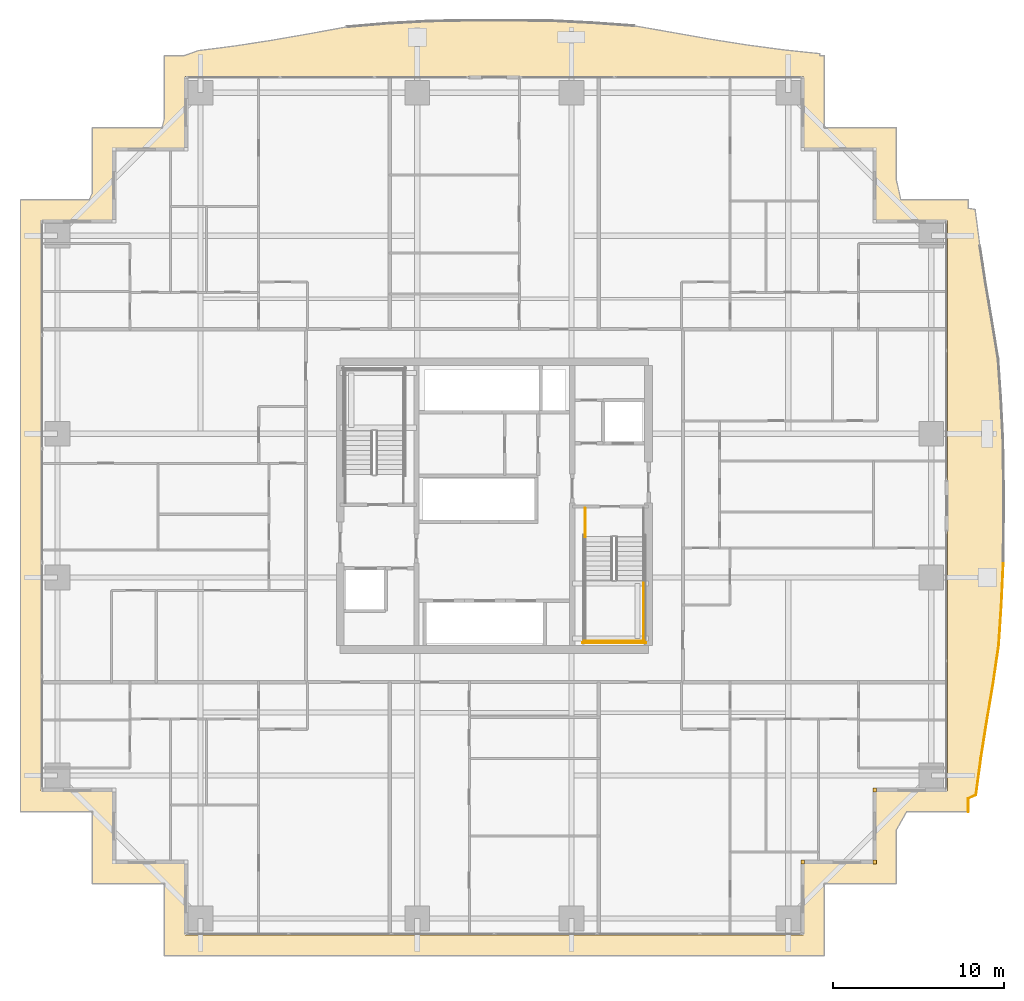
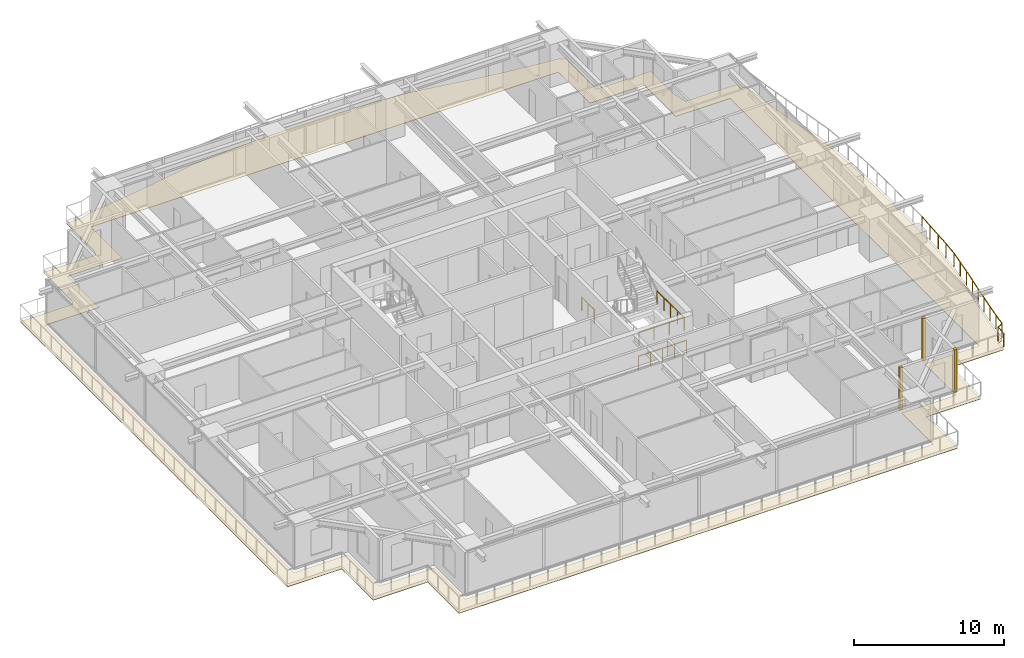
# One storey, part 35 of 37: 5 railings, 4 coverings.
"""IFC4 building model written with IfcOpenShell, lengths in metres."""

from ifc_helpers import new_model, si_unit, direction, frame, origin, origin_2d, place, context, subcontext, project, spatial, polyline, rectangle, circle, outline, extrude, source, transform, mapped, material, layer, layer_set, type_object, element, save


model = new_model("IFC4")

# Units and contexts
model_context = context("Model", 3, precision=1e-05, world=origin(), true_north=direction((0.0, 1.0)))
body_context = subcontext(model_context, "Body", "Model", "MODEL_VIEW")
ifc_project = project(units=[si_unit("LENGTHUNIT", "METRE"), si_unit("AREAUNIT", "SQUARE_METRE"), si_unit("VOLUMEUNIT", "CUBIC_METRE"), si_unit("PLANEANGLEUNIT", "RADIAN"), si_unit("MASSUNIT", "GRAM", prefix="KILO")], contexts=[model_context])

# Site, building, storey
site_placement = place(None, origin())
site = spatial("IfcSite", under=ifc_project, at=site_placement, CompositionType="ELEMENT")
building_placement = place(site_placement, origin())
building = spatial("IfcBuilding", under=site, at=building_placement, Name="Serunith Strait Residences", CompositionType="ELEMENT")
storey_placement = place(building_placement, frame((0.0, 0.0, 26.699951171875)))
storey = spatial("IfcBuildingStorey", under=building, at=storey_placement, Name="L05", CompositionType="ELEMENT", Elevation=26.699951171875)

# Covering
ifc_material_1 = material(Name="Golden Teak Exterior Timber Boarding", Category="wood")
ifc_layer_1 = layer(ifc_material_1, 0.034912109375, Name="Golden Teak Exterior Timber Boarding")
ifc_layer_set_1 = layer_set([ifc_layer_1], Name="Golden Teak Exterior Timber Boarding")
covering_type_1 = type_object("IfcCoveringType", Name="COV-TEAK-SOFFIT", PredefinedType="CEILING", material=ifc_layer_set_1)
covering_placement = place(storey_placement, frame((0.0, 0.0, -0.324951171875)))
element("IfcCovering", 1, at=covering_placement, inside=storey, type_object=covering_type_1, Name="L05 Golden-Teak Balcony Soffit Lining", PredefinedType="CEILING", context=body_context, shape_type="SweptSolid", body=[
    extrude(outline(polyline([(13.00341796875, 47.260009765625), (13.139892578125, 47.77490234375), (13.139892578125, 51.4599609375), (14.294921875, 51.4599609375), (15.12109375, 51.755859375), (17.243408203125, 52.02587890625), (19.3837890625, 52.35498046875), (21.560302734375, 52.73486328125), (23.7939453125, 53.141357421875), (26.14306640625, 53.342041015625), (28.535888671875, 53.47412109375), (30.954345703125, 53.52001953125), (33.383056640625, 53.52001953125), (35.8046875, 53.492919921875), (38.203125, 53.37109375), (40.5673828125, 53.2021484375), (42.818603515625, 52.8115234375), (45.004638671875, 52.424072265625), (47.150390625, 52.084228515625), (49.275146484375, 51.802734375), (51.392578125, 51.578857421875), (51.391845703125, 51.4599609375), (51.659912109375, 51.4599609375), (51.659912109375, 47.260009765625), (55.860107421875, 47.260009765625), (55.860107421875, 44.209716796875), (56.122802734375, 43.06005859375), (60.06005859375, 43.06005859375), (60.06005859375, 42.552001953125), (60.45751953125, 42.488037109375), (60.734375, 40.360107421875), (61.06298828125, 38.210693359375), (61.432861328125, 36.023193359375), (61.802001953125, 33.775634765625), (61.963134765625, 31.42431640625), (62.082763671875, 29.04150390625), (62.1201171875, 26.63671875), (62.1201171875, 24.22314453125), (62.099609375, 21.815673828125), (61.989501953125, 19.427734375), (61.83544921875, 17.070068359375), (61.506103515625, 14.7998046875), (61.131103515625, 12.60302734375), (60.793212890625, 10.44775390625), (60.506103515625, 8.31689453125), (60.06005859375, 8.11279296875), (60.06005859375, 7.340087890625), (56.46923828125, 7.340087890625), (55.860107421875, 6.272705078125), (55.860107421875, 3.139892578125), (51.659912109375, 3.139892578125), (51.659912109375, -1.06005859375), (13.139892578125, -1.06005859375), (13.139892578125, 3.139892578125), (8.93994140625, 3.139892578125), (8.93994140625, 7.340087890625), (4.739990234375, 7.340087890625), (4.739990234375, 43.06005859375), (8.7587890625, 43.06005859375), (8.93994140625, 43.457763671875), (8.93994140625, 47.260009765625), (13.00341796875, 47.260009765625)]), holes=[polyline([(50.455078125, 0.14501953125), (50.455078125, 4.344970703125), (54.655029296875, 4.344970703125), (54.655029296875, 8.544921875), (58.85498046875, 8.544921875), (58.85498046875, 41.85498046875), (54.655029296875, 41.85498046875), (54.655029296875, 46.054931640625), (50.455078125, 46.054931640625), (50.455078125, 50.2548828125), (14.344970703125, 50.2548828125), (14.344970703125, 46.054931640625), (10.14501953125, 46.054931640625), (10.14501953125, 41.85498046875), (5.945068359375, 41.85498046875), (5.945068359375, 8.544921875), (10.14501953125, 8.544921875), (10.14501953125, 4.344970703125), (14.344970703125, 4.344970703125), (14.344970703125, 0.14501953125), (50.455078125, 0.14501953125)])]), origin(), (0.0, 0.0, 1.0), 0.034912109375),
])

# Railings
ifc_material_2 = material(Name="Stainless Steel & Laminated Glass Balustrade", Category="steel")
railing_type_1 = type_object("IfcRailingType", Name="RLG-BALC-1150", PredefinedType="BALUSTRADE", material=ifc_material_2)
railing_1_placement = place(storey_placement, frame((62.099609375, 21.815673828125, -0.050048828125)))
element("IfcRailing", 2, at=railing_1_placement, inside=storey, type_object=railing_type_1, Name="L05 Swirling Balcony Perimeter Balustrade 6", PredefinedType="BALUSTRADE", context=body_context, shape_type="SweptSolid", body=[
    extrude(circle(Radius=0.02392578125, at=origin_2d()), frame((0.0, -0.001953125, 1.1259765625), z_axis=(-0.046060865395, -0.998938635092, 0.0), x_axis=(0.998938635092, -0.046060865395, 0.0)), (0.0, 0.0, 1.0), 2.386474609375),
    extrude(circle(Radius=0.02392578125, at=origin_2d()), frame((-0.1103515625, -2.389892578125, 1.1259765625), z_axis=(-0.065202162092, -0.997872074997, 0.0), x_axis=(0.997872074997, -0.065202162092, 0.0)), (0.0, 0.0, 1.0), 2.358642578125),
    extrude(circle(Radius=0.02392578125, at=origin_2d()), frame((-0.264404296875, -4.74755859375, 1.1259765625), z_axis=(-0.14356654037, -0.989640666346, 0.0), x_axis=(0.989640666346, -0.14356654037, 0.0)), (0.0, 0.0, 1.0), 2.2900390625),
    extrude(circle(Radius=0.02392578125, at=origin_2d()), frame((-0.59375, -7.017822265625, 1.1259765625), z_axis=(-0.168270499855, -0.985740857872, 0.0), x_axis=(0.985740857872, -0.168270499855, 0.0)), (0.0, 0.0, 1.0), 2.224609375),
    extrude(circle(Radius=0.02392578125, at=origin_2d()), frame((-0.96875, -9.214599609375, 1.1259765625), z_axis=(-0.154882104311, -0.987932960157, 0.0), x_axis=(0.987932960157, -0.154882104311, 0.0)), (0.0, 0.0, 1.0), 2.177490234375),
    extrude(circle(Radius=0.02392578125, at=origin_2d()), frame((-1.306640625, -11.369873046875, 1.1259765625), z_axis=(-0.133532116849, -0.991044486272, 0.0), x_axis=(0.991044486272, -0.133532116849, 0.0)), (0.0, 0.0, 1.0), 2.14599609375),
    extrude(circle(Radius=0.02392578125, at=origin_2d()), frame((-1.59521484375, -13.49951171875, 1.1259765625), z_axis=(-0.909323858246, -0.416089077993, 0.0), x_axis=(0.416089077993, -0.909323858246, 0.0)), (0.0, 0.0, 1.0), 0.486572265625),
    extrude(circle(Radius=0.02392578125, at=origin_2d()), frame((-2.03955078125, -13.704833984375, 1.1259765625), z_axis=(0.0, -1.0, 0.0), x_axis=(1.0, 0.0, 0.0)), (0.0, 0.0, 1.0), 0.768798828125),
    extrude(circle(Radius=0.02099609375, at=origin_2d()), origin(), (0.0, 0.0, 1.0), 1.099853515625),
    extrude(circle(Radius=0.02099609375, at=origin_2d()), frame((-0.05517578125, -1.19384765625, 0.0)), (0.0, 0.0, 1.0), 1.099853515625),
    extrude(circle(Radius=0.02099609375, at=origin_2d()), frame((-0.110107421875, -2.387939453125, 0.0)), (0.0, 0.0, 1.0), 1.099853515625),
    extrude(circle(Radius=0.02099609375, at=origin_2d()), frame((-0.18701171875, -3.56689453125, 0.0)), (0.0, 0.0, 1.0), 1.099853515625),
    extrude(circle(Radius=0.02099609375, at=origin_2d()), frame((-0.26416015625, -4.74560546875, 0.0)), (0.0, 0.0, 1.0), 1.099853515625),
    extrude(circle(Radius=0.02099609375, at=origin_2d()), frame((-0.4287109375, -5.880859375, 0.0)), (0.0, 0.0, 1.0), 1.099853515625),
    extrude(circle(Radius=0.02099609375, at=origin_2d()), frame((-0.593505859375, -7.015869140625, 0.0)), (0.0, 0.0, 1.0), 1.099853515625),
    extrude(circle(Radius=0.02099609375, at=origin_2d()), frame((-0.781005859375, -8.1142578125, 0.0)), (0.0, 0.0, 1.0), 1.099853515625),
    extrude(circle(Radius=0.02099609375, at=origin_2d()), frame((-0.968505859375, -9.212646484375, 0.0)), (0.0, 0.0, 1.0), 1.099853515625),
    extrude(circle(Radius=0.02099609375, at=origin_2d()), frame((-1.137451171875, -10.290283203125, 0.0)), (0.0, 0.0, 1.0), 1.099853515625),
    extrude(circle(Radius=0.02099609375, at=origin_2d()), frame((-1.306396484375, -11.367919921875, 0.0)), (0.0, 0.0, 1.0), 1.099853515625),
    extrude(circle(Radius=0.02099609375, at=origin_2d()), frame((-1.449951171875, -12.433349609375, 0.0)), (0.0, 0.0, 1.0), 1.099853515625),
    extrude(circle(Radius=0.02099609375, at=origin_2d()), frame((-1.593505859375, -13.498779296875, 0.0)), (0.0, 0.0, 1.0), 1.099853515625),
    extrude(circle(Radius=0.02099609375, at=origin_2d()), frame((-2.03955078125, -13.702880859375, 0.0)), (0.0, 0.0, 1.0), 1.099853515625),
    extrude(circle(Radius=0.02099609375, at=origin_2d()), frame((-2.03955078125, -14.4755859375, 0.0)), (0.0, 0.0, 1.0), 1.099853515625),
])
ifc_material_3 = material(Name="Brushed stainless steel 316L", Category="steel")
railing_type_2 = type_object("IfcRailingType", Name="RLG-STAIR-GUARD", PredefinedType="BALUSTRADE", material=ifc_material_3)
railing_2_placement = place(storey_placement, frame((41.10009765625, 20.85009765625, 1.875)))
element("IfcRailing", 3, at=railing_2_placement, inside=storey, type_object=railing_type_2, Name="L05 ST-2 stair guard 4", PredefinedType="BALUSTRADE", context=body_context, shape_type="SweptSolid", body=[
    extrude(circle(Radius=0.02392578125, at=origin_2d()), frame((0.0, -0.001953125, 1.076171875), z_axis=(0.0, -1.0, 0.0), x_axis=(1.0, 0.0, 0.0)), (0.0, 0.0, 1.0), 3.59619140625),
    extrude(circle(Radius=0.02099609375, at=origin_2d()), origin(), (0.0, 0.0, 1.0), 1.050048828125),
    extrude(circle(Radius=0.02099609375, at=origin_2d()), frame((0.0, -0.89990234375, 0.0)), (0.0, 0.0, 1.0), 1.050048828125),
    extrude(circle(Radius=0.02099609375, at=origin_2d()), frame((0.0, -1.800048828125, 0.0)), (0.0, 0.0, 1.0), 1.050048828125),
    extrude(circle(Radius=0.02099609375, at=origin_2d()), frame((0.0, -2.7001953125, 0.0)), (0.0, 0.0, 1.0), 1.050048828125),
    extrude(circle(Radius=0.02099609375, at=origin_2d()), frame((0.0, -3.60009765625, 0.0)), (0.0, 0.0, 1.0), 1.050048828125),
])
railing_3_placement = place(storey_placement, frame((37.64990234375, 17.300048828125, 1.875)))
element("IfcRailing", 4, at=railing_3_placement, inside=storey, type_object=railing_type_2, Name="L05 ST-2 stair guard 5", PredefinedType="BALUSTRADE", context=body_context, shape_type="SweptSolid", body=[
    extrude(circle(Radius=0.02392578125, at=origin_2d()), frame((0.001953125, 0.0, 1.076171875), z_axis=(1.0, 0.0, 0.0), x_axis=(0.0, 1.0, 0.0)), (0.0, 0.0, 1.0), 3.49609375),
    extrude(circle(Radius=0.02099609375, at=origin_2d()), origin(), (0.0, 0.0, 1.0), 1.050048828125),
    extrude(circle(Radius=0.02099609375, at=origin_2d()), frame((1.166748046875, 0.0, 0.0)), (0.0, 0.0, 1.0), 1.050048828125),
    extrude(circle(Radius=0.02099609375, at=origin_2d()), frame((2.333251953125, 0.0, 0.0)), (0.0, 0.0, 1.0), 1.050048828125),
    extrude(circle(Radius=0.02099609375, at=origin_2d()), frame((3.5, 0.0, 0.0)), (0.0, 0.0, 1.0), 1.050048828125),
])
railing_4_placement = place(storey_placement, frame((37.699951171875, 25.050048828125, 0.0)))
element("IfcRailing", 5, at=railing_4_placement, inside=storey, type_object=railing_type_2, Name="L05 ST-2 stair guard 8", PredefinedType="BALUSTRADE", context=body_context, shape_type="SweptSolid", body=[
    extrude(circle(Radius=0.02392578125, at=origin_2d()), frame((0.0, -0.001953125, 1.076171875), z_axis=(0.0, -1.0, 0.0), x_axis=(1.0, 0.0, 0.0)), (0.0, 0.0, 1.0), 1.676025390625),
    extrude(circle(Radius=0.02099609375, at=origin_2d()), origin(), (0.0, 0.0, 1.0), 1.050048828125),
    extrude(circle(Radius=0.02099609375, at=origin_2d()), frame((0.0, -0.83984375, 0.0)), (0.0, 0.0, 1.0), 1.050048828125),
    extrude(circle(Radius=0.02099609375, at=origin_2d()), frame((0.0, -1.679931640625, 0.0)), (0.0, 0.0, 1.0), 1.050048828125),
])
railing_5_placement = place(storey_placement, frame((37.550048828125, 17.199951171875, 0.0)))
element("IfcRailing", 6, at=railing_5_placement, inside=storey, type_object=railing_type_2, Name="L05 ST-2 stair guard 12", PredefinedType="BALUSTRADE", context=body_context, shape_type="SweptSolid", body=[
    extrude(circle(Radius=0.02392578125, at=origin_2d()), frame((0.001953125, 0.0, 1.076171875), z_axis=(1.0, 0.0, 0.0), x_axis=(0.0, 1.0, 0.0)), (0.0, 0.0, 1.0), 3.696044921875),
    extrude(circle(Radius=0.02099609375, at=origin_2d()), origin(), (0.0, 0.0, 1.0), 1.050048828125),
    extrude(circle(Radius=0.02099609375, at=origin_2d()), frame((0.925048828125, 0.0, 0.0)), (0.0, 0.0, 1.0), 1.050048828125),
    extrude(circle(Radius=0.02099609375, at=origin_2d()), frame((1.85009765625, 0.0, 0.0)), (0.0, 0.0, 1.0), 1.050048828125),
    extrude(circle(Radius=0.02099609375, at=origin_2d()), frame((2.77490234375, 0.0, 0.0)), (0.0, 0.0, 1.0), 1.050048828125),
    extrude(circle(Radius=0.02099609375, at=origin_2d()), frame((3.699951171875, 0.0, 0.0)), (0.0, 0.0, 1.0), 1.050048828125),
])

# Coverings
ifc_material_4 = material(Name="Pale-Champagne Anodised Aluminium", Category="aluminium")
ifc_layer_2 = layer(ifc_material_4, 0.219970703125, Name="Pale-Champagne Anodised Aluminium")
ifc_layer_set_2 = layer_set([ifc_layer_2], Name="Pale-Champagne Anodised Aluminium")
covering_type_2 = type_object("IfcCoveringType", Name="COV-CORN-TRIM", PredefinedType="CLADDING", material=ifc_layer_set_2)
shared_shape = source(origin(), body_context, "Body", "SweptSolid", [
    extrude(rectangle(XDim=0.221923828125, YDim=0.221923828125, at=origin_2d()), origin(), (0.0, 0.0, 1.0), 3.47509765625),
])
for number, where, z_axis, x_axis, name in (
    (7, (50.39990234375, 4.39990234375, 0.0), (0.0, 0.0, 1.0), (1.0, 0.0, 0.0), "L05 Girih Serrated Corner Trim Post 02"),
    (8, (54.60009765625, 4.39990234375, 0.0), (0.0, 0.0, 1.0), (1.0, 0.0, 0.0), "L05 Girih Serrated Corner Trim Post 03"),
    (9, (54.60009765625, 8.60009765625, 0.0), (0.0, 0.0, 1.0), (1.0, 0.0, 0.0), "L05 Girih Serrated Corner Trim Post 04"),
):
    element("IfcCovering", number, at=place(storey_placement, frame(where, z_axis=z_axis, x_axis=x_axis)), inside=storey, type_object=covering_type_2, Name=name, PredefinedType="CLADDING", context=body_context, shape_type="MappedRepresentation", body=[
        mapped(shared_shape, transform((0.0, 0.0, 0.0), scale=1.0)),
    ])

save(model, "model.ifc")
